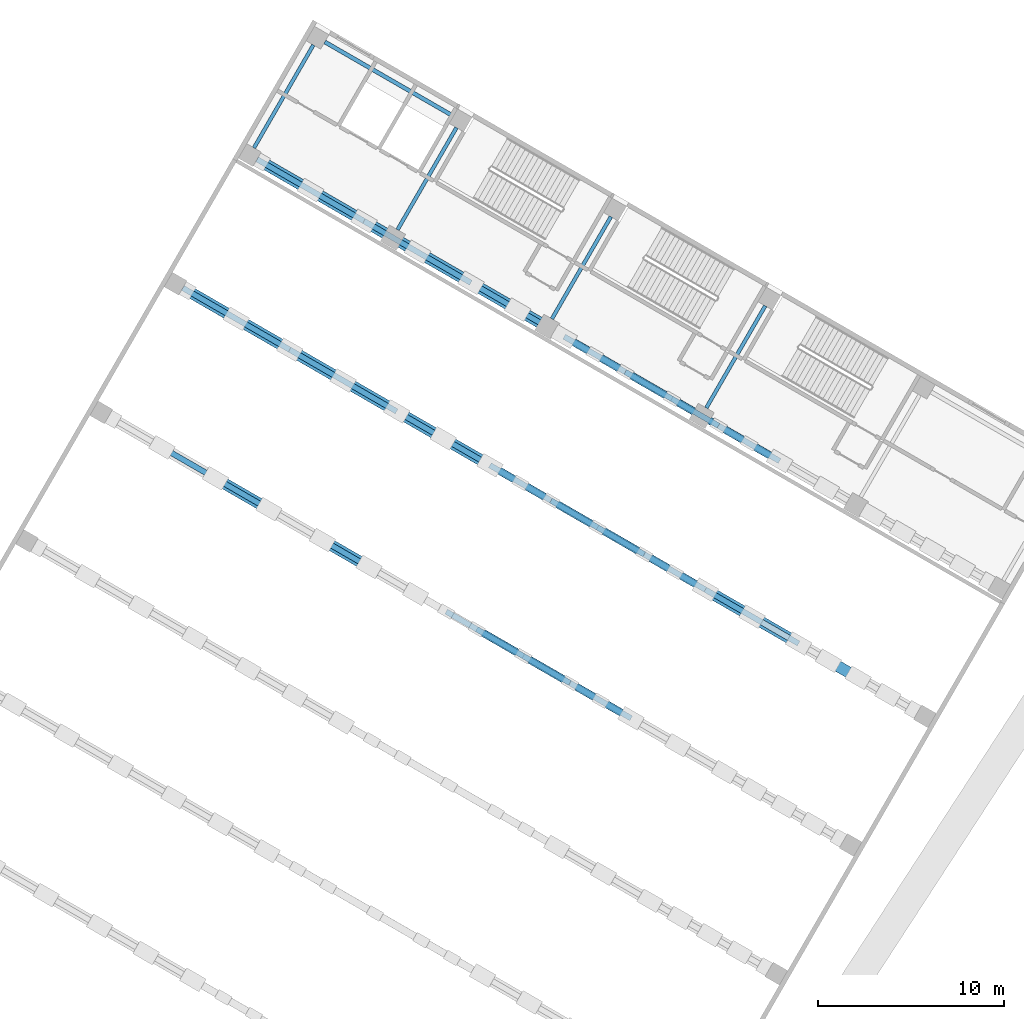
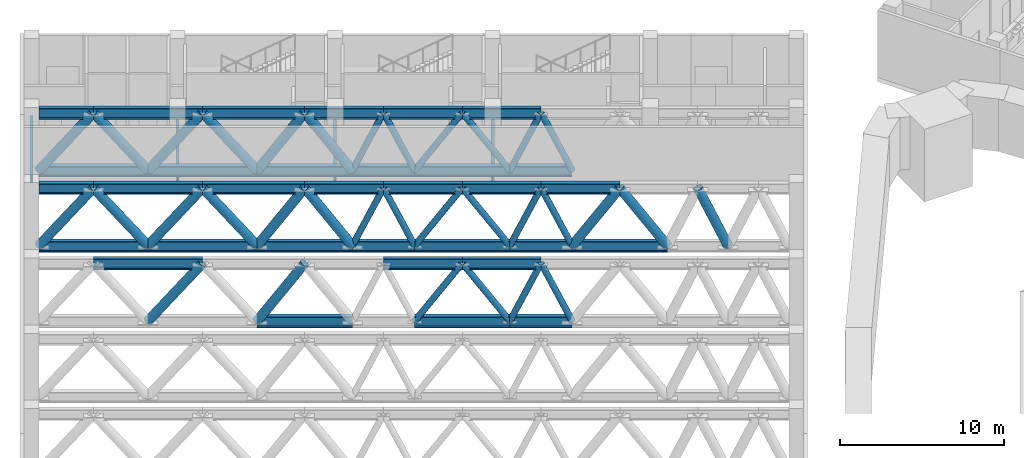
# One storey, part 7 of 37: 65 members, 5 beams.
"""IFC4 building model written with IfcOpenShell, lengths in metres."""

from ifc_helpers import new_model, si_unit, direction, frame, origin, origin_2d, place, context, subcontext, project, spatial, hollow_circle, i_section, extrude, material, material_profile, profile_set, type_object, element, save


model = new_model("IFC4")

# Units and contexts
model_context = context("Model", 3, precision=1e-05, world=origin(), true_north=direction((0.0, 1.0)))
body_context = subcontext(model_context, "Body", "Model", "MODEL_VIEW")
ifc_project = project(units=[si_unit("LENGTHUNIT", "METRE"), si_unit("AREAUNIT", "SQUARE_METRE"), si_unit("VOLUMEUNIT", "CUBIC_METRE"), si_unit("PLANEANGLEUNIT", "RADIAN"), si_unit("MASSUNIT", "GRAM", prefix="KILO")], contexts=[model_context])

# Site, building, storey
site_placement = place(None, origin())
site = spatial("IfcSite", under=ifc_project, at=site_placement, CompositionType="ELEMENT")
building_placement = place(site_placement, origin())
building = spatial("IfcBuilding", under=site, at=building_placement, Name="Mestral Congress Tower", CompositionType="ELEMENT")
storey_placement = place(building_placement, frame((0.0, 0.0, 16.199951171875)))
storey = spatial("IfcBuildingStorey", under=building, at=storey_placement, Name="L03", CompositionType="ELEMENT", Elevation=16.199951171875)

# Beams
ifc_material = material(Name="Steel S355", Category="steel")
ifc_material_profile_1 = material_profile(ifc_material, i_section(OverallWidth=0.199951171875, OverallDepth=0.5, WebThickness=0.01025390625, FlangeThickness=0.01611328125, FilletRadius=0.02099609375, at=origin_2d()), Name="IPE 500")
ifc_profile_set_1 = profile_set([ifc_material_profile_1], Name="Steel S355")
beam_type_1 = type_object("IfcBeamType", Name="Floor beam IPE 500 S355", PredefinedType="BEAM", material=ifc_profile_set_1)
for number, where, z_axis, x_axis, name in (
    (1, (-19.656982421875, 56.208984375, -0.550048828125), (-0.500005339912, -0.866022320763, 0.0), (0.866022320763, -0.500005339912, 0.0), "BM-L03-W-U01C"),
    (2, (-27.970703125, 61.009033203125, -0.550048828125), (-0.500005339912, -0.866022320763, 0.0), (0.866022320763, -0.500005339912, 0.0), "BM-L03-W-U01D"),
    (3, (-36.28466796875, 65.80908203125, -0.550048828125), (-0.500005339912, -0.866022320763, 0.0), (0.866022320763, -0.500005339912, 0.0), "BM-L03-W-U01E"),
):
    element("IfcBeam", number, at=place(storey_placement, frame(where, z_axis=z_axis, x_axis=x_axis)), inside=storey, type_object=beam_type_1, Name=name, PredefinedType="BEAM", context=body_context, shape_type="SweptSolid", body=[
        extrude(i_section(OverallWidth=0.199951171875, OverallDepth=0.5, WebThickness=0.01025390625, FlangeThickness=0.01611328125, FilletRadius=0.02099609375, at=origin_2d()), origin(), (0.0, 0.0, 1.0), 6.35009765625),
    ])
beam_1_placement = place(storey_placement, frame((-43.9921875, 70.259033203125, -0.550048828125), z_axis=(-0.500028443584, -0.866008981251, 0.0), x_axis=(0.866008981251, -0.500028443584, 0.0)))
element("IfcBeam", 4, at=beam_1_placement, inside=storey, type_object=beam_type_1, Name="BM-L03-W-U01F", PredefinedType="BEAM", context=body_context, shape_type="SweptSolid", body=[
    extrude(i_section(OverallWidth=0.199951171875, OverallDepth=0.5, WebThickness=0.01025390625, FlangeThickness=0.01611328125, FilletRadius=0.02099609375, at=origin_2d()), origin(), (0.0, 0.0, 1.0), 6.400146484375),
])
ifc_material_profile_2 = material_profile(ifc_material, i_section(OverallWidth=0.219970703125, OverallDepth=0.60009765625, WebThickness=0.011962890625, FlangeThickness=0.01904296875, FilletRadius=0.02392578125, at=origin_2d()), Name="IPE 600")
ifc_profile_set_2 = profile_set([ifc_material_profile_2], Name="Steel S355")
beam_type_2 = type_object("IfcBeamType", Name="Floor beam IPE 600 S355", PredefinedType="BEAM", material=ifc_profile_set_2)
beam_2_placement = place(storey_placement, frame((-36.449462890625, 66.423828125, -0.599853515625), z_axis=(-0.866026010844, 0.49999894854, 0.0), x_axis=(-0.49999894854, -0.866026010844, 0.0)))
element("IfcBeam", 5, at=beam_2_placement, inside=storey, type_object=beam_type_2, Name="BM-L03-W-V01E", PredefinedType="BEAM", context=body_context, shape_type="SweptSolid", body=[
    extrude(i_section(OverallWidth=0.219970703125, OverallDepth=0.60009765625, WebThickness=0.011962890625, FlangeThickness=0.01904296875, FilletRadius=0.02392578125, at=origin_2d()), origin(), (0.0, 0.0, 1.0), 8.0),
])

# Members
ifc_material_profile_3 = material_profile(ifc_material, i_section(OverallWidth=0.300048828125, OverallDepth=0.800048828125, WebThickness=0.017578125, FlangeThickness=0.032958984375, FilletRadius=0.030029296875, at=origin_2d()), Name="HEB 800")
ifc_profile_set_3 = profile_set([ifc_material_profile_3], Name="Steel S355")
member_type_1 = type_object("IfcMemberType", Name="Truss chord HEB 800 S355", PredefinedType="CHORD", material=ifc_profile_set_3)
member_1_placement = place(storey_placement, frame((-18.8818359375, 47.851806640625, 0.400146484375), z_axis=(-0.866028304915, 0.499994975061, 0.0), x_axis=(-0.499994975061, -0.866028304915, 0.0)))
element("IfcMember", 6, at=member_1_placement, inside=storey, type_object=member_type_1, Name="MB-W-T1-BC04", PredefinedType="CHORD", context=body_context, shape_type="SweptSolid", body=[
    extrude(i_section(OverallWidth=0.300048828125, OverallDepth=0.800048828125, WebThickness=0.017578125, FlangeThickness=0.032958984375, FilletRadius=0.030029296875, at=origin_2d()), origin(), (0.0, 0.0, 1.0), 3.7998046875),
])
member_2_placement = place(storey_placement, frame((-22.172607421875, 49.751708984375, 0.400146484375), z_axis=(-0.86601454848, 0.500018801468, 0.0), x_axis=(-0.500018801468, -0.86601454848, 0.0)))
element("IfcMember", 7, at=member_2_placement, inside=storey, type_object=member_type_1, Name="MB-W-T1-BC05", PredefinedType="CHORD", context=body_context, shape_type="SweptSolid", body=[
    extrude(i_section(OverallWidth=0.300048828125, OverallDepth=0.800048828125, WebThickness=0.017578125, FlangeThickness=0.032958984375, FilletRadius=0.030029296875, at=origin_2d()), origin(), (0.0, 0.0, 1.0), 5.800048828125),
])
member_3_placement = place(storey_placement, frame((-27.195556640625, 52.65185546875, 0.400146484375), z_axis=(-0.866044365799, 0.499967155389, 0.0), x_axis=(-0.499967155389, -0.866044365799, 0.0)))
element("IfcMember", 8, at=member_3_placement, inside=storey, type_object=member_type_1, Name="MB-W-T1-BC06", PredefinedType="CHORD", context=body_context, shape_type="SweptSolid", body=[
    extrude(i_section(OverallWidth=0.300048828125, OverallDepth=0.800048828125, WebThickness=0.017578125, FlangeThickness=0.032958984375, FilletRadius=0.030029296875, at=origin_2d()), origin(), (0.0, 0.0, 1.0), 3.800048828125),
])
member_4_placement = place(storey_placement, frame((-30.486572265625, 54.5517578125, 0.400146484375), z_axis=(-0.86601454848, 0.500018801468, 0.0), x_axis=(-0.500018801468, -0.86601454848, 0.0)))
element("IfcMember", 9, at=member_4_placement, inside=storey, type_object=member_type_1, Name="MB-W-T1-BC07", PredefinedType="CHORD", context=body_context, shape_type="SweptSolid", body=[
    extrude(i_section(OverallWidth=0.300048828125, OverallDepth=0.800048828125, WebThickness=0.017578125, FlangeThickness=0.032958984375, FilletRadius=0.030029296875, at=origin_2d()), origin(), (0.0, 0.0, 1.0), 5.800048828125),
])
for number, where, z_axis, x_axis, name in (
    (10, (-35.509521484375, 57.451904296875, 0.400146484375), (-0.866027239912, 0.49999681972, 0.0), (-0.49999681972, -0.866027239912, 0.0), "MB-W-T1-BC08"),
    (11, (-41.2685546875, 60.77685546875, 0.400146484375), (-0.866027239912, 0.49999681972, 0.0), (-0.49999681972, -0.866027239912, 0.0), "MB-W-T1-BC09"),
):
    element("IfcMember", number, at=place(storey_placement, frame(where, z_axis=z_axis, x_axis=x_axis)), inside=storey, type_object=member_type_1, Name=name, PredefinedType="CHORD", context=body_context, shape_type="SweptSolid", body=[
        extrude(i_section(OverallWidth=0.300048828125, OverallDepth=0.800048828125, WebThickness=0.017578125, FlangeThickness=0.032958984375, FilletRadius=0.030029296875, at=origin_2d()), origin(), (0.0, 0.0, 1.0), 6.64990234375),
    ])
for number, where, z_axis, x_axis, name in (
    (12, (-20.527099609375, 48.8017578125, 4.699951171875), (-0.866015339567, 0.500017431331, 0.0), (-0.500017431331, -0.866015339567, 0.0), "MB-W-T1-TC05"),
    (13, (-24.68408203125, 51.201904296875, 4.699951171875), (-0.866037363387, 0.499979284789, 0.0), (-0.499979284789, -0.866037363387, 0.0), "MB-W-T1-TC06"),
    (14, (-28.841064453125, 53.601806640625, 4.699951171875), (-0.866037363387, 0.499979284789, 0.0), (-0.499979284789, -0.866037363387, 0.0), "MB-W-T1-TC07"),
):
    element("IfcMember", number, at=place(storey_placement, frame(where, z_axis=z_axis, x_axis=x_axis)), inside=storey, type_object=member_type_1, Name=name, PredefinedType="CHORD", context=body_context, shape_type="SweptSolid", body=[
        extrude(i_section(OverallWidth=0.300048828125, OverallDepth=0.800048828125, WebThickness=0.017578125, FlangeThickness=0.032958984375, FilletRadius=0.030029296875, at=origin_2d()), origin(), (0.0, 0.0, 1.0), 4.800048828125),
    ])
member_5_placement = place(storey_placement, frame((-32.998046875, 56.001708984375, 4.699951171875), z_axis=(-0.866016424762, 0.5000155518, 0.0), x_axis=(-0.5000155518, -0.866016424762, 0.0)))
element("IfcMember", 15, at=member_5_placement, inside=storey, type_object=member_type_1, Name="MB-W-T1-TC08", PredefinedType="CHORD", context=body_context, shape_type="SweptSolid", body=[
    extrude(i_section(OverallWidth=0.300048828125, OverallDepth=0.800048828125, WebThickness=0.017578125, FlangeThickness=0.032958984375, FilletRadius=0.030029296875, at=origin_2d()), origin(), (0.0, 0.0, 1.0), 6.224853515625),
])
member_6_placement = place(storey_placement, frame((-38.388916015625, 59.1142578125, 4.699951171875), z_axis=(-0.866036417653, 0.499980922934, 0.0), x_axis=(-0.499980922934, -0.866036417653, 0.0)))
element("IfcMember", 16, at=member_6_placement, inside=storey, type_object=member_type_1, Name="MB-W-T1-TC09", PredefinedType="CHORD", context=body_context, shape_type="SweptSolid", body=[
    extrude(i_section(OverallWidth=0.300048828125, OverallDepth=0.800048828125, WebThickness=0.017578125, FlangeThickness=0.032958984375, FilletRadius=0.030029296875, at=origin_2d()), origin(), (0.0, 0.0, 1.0), 6.650146484375),
])
member_7_placement = place(storey_placement, frame((-44.148193359375, 62.439208984375, 4.699951171875), z_axis=(-0.866002163101, 0.500040251884, 0.0), x_axis=(-0.500040251884, -0.866002163101, 0.0)))
element("IfcMember", 17, at=member_7_placement, inside=storey, type_object=member_type_1, Name="MB-W-T1-TC10", PredefinedType="CHORD", context=body_context, shape_type="SweptSolid", body=[
    extrude(i_section(OverallWidth=0.300048828125, OverallDepth=0.800048828125, WebThickness=0.017578125, FlangeThickness=0.032958984375, FilletRadius=0.030029296875, at=origin_2d()), origin(), (0.0, 0.0, 1.0), 3.324951171875),
])
member_8_placement = place(storey_placement, frame((-17.85888671875, 38.023681640625, 0.400146484375), z_axis=(-0.866032775405, 0.499987231761, 0.0), x_axis=(-0.499987231761, -0.866032775405, 0.0)))
element("IfcMember", 18, at=member_8_placement, inside=storey, type_object=member_type_1, Name="MB-W-T2-BC03", PredefinedType="CHORD", context=body_context, shape_type="SweptSolid", body=[
    extrude(i_section(OverallWidth=0.300048828125, OverallDepth=0.800048828125, WebThickness=0.017578125, FlangeThickness=0.032958984375, FilletRadius=0.030029296875, at=origin_2d()), origin(), (0.0, 0.0, 1.0), 5.800048828125),
])
member_9_placement = place(storey_placement, frame((-22.8818359375, 40.923583984375, 0.400146484375), z_axis=(-0.866028304915, 0.499994975061, 0.0), x_axis=(-0.499994975061, -0.866028304915, 0.0)))
element("IfcMember", 19, at=member_9_placement, inside=storey, type_object=member_type_1, Name="MB-W-T2-BC04", PredefinedType="CHORD", context=body_context, shape_type="SweptSolid", body=[
    extrude(i_section(OverallWidth=0.300048828125, OverallDepth=0.800048828125, WebThickness=0.017578125, FlangeThickness=0.032958984375, FilletRadius=0.030029296875, at=origin_2d()), origin(), (0.0, 0.0, 1.0), 3.7998046875),
])
member_10_placement = place(storey_placement, frame((-26.172607421875, 42.823486328125, 0.400146484375), z_axis=(-0.86601454848, 0.500018801468, 0.0), x_axis=(-0.500018801468, -0.86601454848, 0.0)))
element("IfcMember", 20, at=member_10_placement, inside=storey, type_object=member_type_1, Name="MB-W-T2-BC05", PredefinedType="CHORD", context=body_context, shape_type="SweptSolid", body=[
    extrude(i_section(OverallWidth=0.300048828125, OverallDepth=0.800048828125, WebThickness=0.017578125, FlangeThickness=0.032958984375, FilletRadius=0.030029296875, at=origin_2d()), origin(), (0.0, 0.0, 1.0), 5.800048828125),
])
member_11_placement = place(storey_placement, frame((-31.195556640625, 45.7236328125, 0.400146484375), z_axis=(-0.866044365799, 0.499967155389, 0.0), x_axis=(-0.499967155389, -0.866044365799, 0.0)))
element("IfcMember", 21, at=member_11_placement, inside=storey, type_object=member_type_1, Name="MB-W-T2-BC06", PredefinedType="CHORD", context=body_context, shape_type="SweptSolid", body=[
    extrude(i_section(OverallWidth=0.300048828125, OverallDepth=0.800048828125, WebThickness=0.017578125, FlangeThickness=0.032958984375, FilletRadius=0.030029296875, at=origin_2d()), origin(), (0.0, 0.0, 1.0), 3.800048828125),
])
member_12_placement = place(storey_placement, frame((-34.486572265625, 47.62353515625, 0.400146484375), z_axis=(-0.86601454848, 0.500018801468, 0.0), x_axis=(-0.500018801468, -0.86601454848, 0.0)))
element("IfcMember", 22, at=member_12_placement, inside=storey, type_object=member_type_1, Name="MB-W-T2-BC07", PredefinedType="CHORD", context=body_context, shape_type="SweptSolid", body=[
    extrude(i_section(OverallWidth=0.300048828125, OverallDepth=0.800048828125, WebThickness=0.017578125, FlangeThickness=0.032958984375, FilletRadius=0.030029296875, at=origin_2d()), origin(), (0.0, 0.0, 1.0), 5.800048828125),
])
for number, where, z_axis, x_axis, name in (
    (23, (-39.509521484375, 50.523681640625, 0.400146484375), (-0.866027239912, 0.49999681972, 0.0), (-0.49999681972, -0.866027239912, 0.0), "MB-W-T2-BC08"),
    (24, (-45.2685546875, 53.8486328125, 0.400146484375), (-0.866027239912, 0.49999681972, 0.0), (-0.49999681972, -0.866027239912, 0.0), "MB-W-T2-BC09"),
):
    element("IfcMember", number, at=place(storey_placement, frame(where, z_axis=z_axis, x_axis=x_axis)), inside=storey, type_object=member_type_1, Name=name, PredefinedType="CHORD", context=body_context, shape_type="SweptSolid", body=[
        extrude(i_section(OverallWidth=0.300048828125, OverallDepth=0.800048828125, WebThickness=0.017578125, FlangeThickness=0.032958984375, FilletRadius=0.030029296875, at=origin_2d()), origin(), (0.0, 0.0, 1.0), 6.64990234375),
    ])
member_13_placement = place(storey_placement, frame((-20.370361328125, 39.4736328125, 4.699951171875), z_axis=(-0.866024647952, 0.500001309137, 0.0), x_axis=(-0.500001309137, -0.866024647952, 0.0)))
element("IfcMember", 25, at=member_13_placement, inside=storey, type_object=member_type_1, Name="MB-W-T2-TC04", PredefinedType="CHORD", context=body_context, shape_type="SweptSolid", body=[
    extrude(i_section(OverallWidth=0.300048828125, OverallDepth=0.800048828125, WebThickness=0.017578125, FlangeThickness=0.032958984375, FilletRadius=0.030029296875, at=origin_2d()), origin(), (0.0, 0.0, 1.0), 4.7998046875),
])
for number, where, z_axis, x_axis, name in (
    (26, (-24.527099609375, 41.87353515625, 4.699951171875), (-0.866015339567, 0.500017431331, 0.0), (-0.500017431331, -0.866015339567, 0.0), "MB-W-T2-TC05"),
    (27, (-28.68408203125, 44.273681640625, 4.699951171875), (-0.866037363387, 0.499979284789, 0.0), (-0.499979284789, -0.866037363387, 0.0), "MB-W-T2-TC06"),
    (28, (-32.841064453125, 46.673583984375, 4.699951171875), (-0.866037363387, 0.499979284789, 0.0), (-0.499979284789, -0.866037363387, 0.0), "MB-W-T2-TC07"),
):
    element("IfcMember", number, at=place(storey_placement, frame(where, z_axis=z_axis, x_axis=x_axis)), inside=storey, type_object=member_type_1, Name=name, PredefinedType="CHORD", context=body_context, shape_type="SweptSolid", body=[
        extrude(i_section(OverallWidth=0.300048828125, OverallDepth=0.800048828125, WebThickness=0.017578125, FlangeThickness=0.032958984375, FilletRadius=0.030029296875, at=origin_2d()), origin(), (0.0, 0.0, 1.0), 4.800048828125),
    ])
member_14_placement = place(storey_placement, frame((-36.998046875, 49.073486328125, 4.699951171875), z_axis=(-0.866016424762, 0.5000155518, 0.0), x_axis=(-0.5000155518, -0.866016424762, 0.0)))
element("IfcMember", 29, at=member_14_placement, inside=storey, type_object=member_type_1, Name="MB-W-T2-TC08", PredefinedType="CHORD", context=body_context, shape_type="SweptSolid", body=[
    extrude(i_section(OverallWidth=0.300048828125, OverallDepth=0.800048828125, WebThickness=0.017578125, FlangeThickness=0.032958984375, FilletRadius=0.030029296875, at=origin_2d()), origin(), (0.0, 0.0, 1.0), 6.224853515625),
])
member_15_placement = place(storey_placement, frame((-42.388916015625, 52.18603515625, 4.699951171875), z_axis=(-0.866036417653, 0.499980922934, 0.0), x_axis=(-0.499980922934, -0.866036417653, 0.0)))
element("IfcMember", 30, at=member_15_placement, inside=storey, type_object=member_type_1, Name="MB-W-T2-TC09", PredefinedType="CHORD", context=body_context, shape_type="SweptSolid", body=[
    extrude(i_section(OverallWidth=0.300048828125, OverallDepth=0.800048828125, WebThickness=0.017578125, FlangeThickness=0.032958984375, FilletRadius=0.030029296875, at=origin_2d()), origin(), (0.0, 0.0, 1.0), 6.650146484375),
])
member_16_placement = place(storey_placement, frame((-48.148193359375, 55.510986328125, 4.699951171875), z_axis=(-0.866002163101, 0.500040251884, 0.0), x_axis=(-0.500040251884, -0.866002163101, 0.0)))
element("IfcMember", 31, at=member_16_placement, inside=storey, type_object=member_type_1, Name="MB-W-T2-TC10", PredefinedType="CHORD", context=body_context, shape_type="SweptSolid", body=[
    extrude(i_section(OverallWidth=0.300048828125, OverallDepth=0.800048828125, WebThickness=0.017578125, FlangeThickness=0.032958984375, FilletRadius=0.030029296875, at=origin_2d()), origin(), (0.0, 0.0, 1.0), 3.324951171875),
])
member_17_placement = place(storey_placement, frame((-26.8818359375, 33.995361328125, 0.400146484375), z_axis=(-0.866000483506, 0.500043160704, 0.0), x_axis=(-0.500043160704, -0.866000483506, 0.0)))
element("IfcMember", 32, at=member_17_placement, inside=storey, type_object=member_type_1, Name="MB-W-T3-BC04", PredefinedType="CHORD", context=body_context, shape_type="SweptSolid", body=[
    extrude(i_section(OverallWidth=0.300048828125, OverallDepth=0.800048828125, WebThickness=0.017578125, FlangeThickness=0.032958984375, FilletRadius=0.030029296875, at=origin_2d()), origin(), (0.0, 0.0, 1.0), 3.800048828125),
])
for number, where, z_axis, x_axis, name in (
    (33, (-30.172607421875, 35.8955078125, 0.400146484375), (-0.866032775405, 0.499987231761, 0.0), (-0.499987231761, -0.866032775405, 0.0), "MB-W-T3-BC05"),
    (34, (-38.486572265625, 40.6953125, 0.400146484375), (-0.86601454848, 0.500018801468, 0.0), (-0.500018801468, -0.86601454848, 0.0), "MB-W-T3-BC07"),
):
    element("IfcMember", number, at=place(storey_placement, frame(where, z_axis=z_axis, x_axis=x_axis)), inside=storey, type_object=member_type_1, Name=name, PredefinedType="CHORD", context=body_context, shape_type="SweptSolid", body=[
        extrude(i_section(OverallWidth=0.300048828125, OverallDepth=0.800048828125, WebThickness=0.017578125, FlangeThickness=0.032958984375, FilletRadius=0.030029296875, at=origin_2d()), origin(), (0.0, 0.0, 1.0), 5.800048828125),
    ])
for number, where, z_axis, x_axis, name in (
    (35, (-28.527099609375, 34.9453125, 4.699951171875), (-0.866015339567, 0.500017431331, 0.0), (-0.500017431331, -0.866015339567, 0.0), "MB-W-T3-TC05"),
    (36, (-32.68408203125, 37.345458984375, 4.699951171875), (-0.866037363387, 0.499979284789, 0.0), (-0.499979284789, -0.866037363387, 0.0), "MB-W-T3-TC06"),
):
    element("IfcMember", number, at=place(storey_placement, frame(where, z_axis=z_axis, x_axis=x_axis)), inside=storey, type_object=member_type_1, Name=name, PredefinedType="CHORD", context=body_context, shape_type="SweptSolid", body=[
        extrude(i_section(OverallWidth=0.300048828125, OverallDepth=0.800048828125, WebThickness=0.017578125, FlangeThickness=0.032958984375, FilletRadius=0.030029296875, at=origin_2d()), origin(), (0.0, 0.0, 1.0), 4.800048828125),
    ])
member_18_placement = place(storey_placement, frame((-46.388916015625, 45.2578125, 4.699951171875), z_axis=(-0.866020521143, 0.500008456887, 0.0), x_axis=(-0.500008456887, -0.866020521143, 0.0)))
element("IfcMember", 37, at=member_18_placement, inside=storey, type_object=member_type_1, Name="MB-W-T3-TC09", PredefinedType="CHORD", context=body_context, shape_type="SweptSolid", body=[
    extrude(i_section(OverallWidth=0.300048828125, OverallDepth=0.800048828125, WebThickness=0.017578125, FlangeThickness=0.032958984375, FilletRadius=0.030029296875, at=origin_2d()), origin(), (0.0, 0.0, 1.0), 6.650390625),
])
ifc_material_profile_4 = material_profile(ifc_material, hollow_circle(Radius=0.203125, WallThickness=0.01611328125, at=origin_2d()), Name="CHS 406.4x16")
ifc_profile_set_4 = profile_set([ifc_material_profile_4], Name="Steel S355")
member_type_2 = type_object("IfcMemberType", Name="Truss diagonal CHS 406.4x16 S355", PredefinedType="BRACE", material=ifc_profile_set_4)
for number, where, z_axis, x_axis, name in (
    (38, (-18.8818359375, 47.851806640625, 0.400146484375), (-0.349995738631, 0.20208241861, 0.914694309061), (-0.500022797313, -0.86601224135, 0.0), "MB-W-T1-D07"),
    (39, (-20.527099609375, 48.8017578125, 4.699951171875), (-0.350041311257, 0.202078745119, -0.914677681582), (-0.499967155389, -0.866044365799, 0.0), "MB-W-T1-D08"),
):
    element("IfcMember", number, at=place(storey_placement, frame(where, z_axis=z_axis, x_axis=x_axis)), inside=storey, type_object=member_type_2, Name=name, PredefinedType="BRACE", context=body_context, shape_type="SweptSolid", body=[
        extrude(hollow_circle(Radius=0.203125, WallThickness=0.01611328125, at=origin_2d()), origin(), (0.0, 0.0, 1.0), 4.700927734375),
    ])
member_19_placement = place(storey_placement, frame((-22.172607421875, 49.751708984375, 0.400146484375), z_axis=(-0.484241047345, 0.27961425306, 0.829051553012), x_axis=(-0.50005036918, -0.865996321171, 0.0)))
element("IfcMember", 40, at=member_19_placement, inside=storey, type_object=member_type_2, Name="MB-W-T1-D09", PredefinedType="BRACE", context=body_context, shape_type="SweptSolid", body=[
    extrude(hollow_circle(Radius=0.203125, WallThickness=0.01611328125, at=origin_2d()), origin(), (0.0, 0.0, 1.0), 5.1865234375),
])
member_20_placement = place(storey_placement, frame((-24.68408203125, 51.201904296875, 4.699951171875), z_axis=(-0.484247420666, 0.279570859467, -0.829062464544), x_axis=(-0.499987231761, -0.866032775405, 0.0)))
element("IfcMember", 41, at=member_20_placement, inside=storey, type_object=member_type_2, Name="MB-W-T1-D10", PredefinedType="BRACE", context=body_context, shape_type="SweptSolid", body=[
    extrude(hollow_circle(Radius=0.203125, WallThickness=0.01611328125, at=origin_2d()), origin(), (0.0, 0.0, 1.0), 5.186279296875),
])
for number, where, z_axis, x_axis, name in (
    (42, (-27.195556640625, 52.65185546875, 0.400146484375), (-0.350041311257, 0.202078745119, 0.914677681582), (-0.499967155389, -0.866044365799, 0.0), "MB-W-T1-D11"),
    (43, (-28.841064453125, 53.601806640625, 4.699951171875), (-0.350041311257, 0.202078745119, -0.914677681582), (-0.499967155389, -0.866044365799, 0.0), "MB-W-T1-D12"),
    (44, (-22.8818359375, 40.923583984375, 0.400146484375), (-0.349995738631, 0.20208241861, 0.914694309061), (-0.500022797313, -0.86601224135, 0.0), "MB-W-T2-D07"),
    (45, (-24.527099609375, 41.87353515625, 4.699951171875), (-0.350041311257, 0.202078745119, -0.914677681582), (-0.499967155389, -0.866044365799, 0.0), "MB-W-T2-D08"),
):
    element("IfcMember", number, at=place(storey_placement, frame(where, z_axis=z_axis, x_axis=x_axis)), inside=storey, type_object=member_type_2, Name=name, PredefinedType="BRACE", context=body_context, shape_type="SweptSolid", body=[
        extrude(hollow_circle(Radius=0.203125, WallThickness=0.01611328125, at=origin_2d()), origin(), (0.0, 0.0, 1.0), 4.700927734375),
    ])
member_21_placement = place(storey_placement, frame((-26.172607421875, 42.823486328125, 0.400146484375), z_axis=(-0.484241047345, 0.27961425306, 0.829051553012), x_axis=(-0.50005036918, -0.865996321171, 0.0)))
element("IfcMember", 46, at=member_21_placement, inside=storey, type_object=member_type_2, Name="MB-W-T2-D09", PredefinedType="BRACE", context=body_context, shape_type="SweptSolid", body=[
    extrude(hollow_circle(Radius=0.203125, WallThickness=0.01611328125, at=origin_2d()), origin(), (0.0, 0.0, 1.0), 5.1865234375),
])
member_22_placement = place(storey_placement, frame((-28.68408203125, 44.273681640625, 4.699951171875), z_axis=(-0.484247420666, 0.279570859467, -0.829062464544), x_axis=(-0.499987231761, -0.866032775405, 0.0)))
element("IfcMember", 47, at=member_22_placement, inside=storey, type_object=member_type_2, Name="MB-W-T2-D10", PredefinedType="BRACE", context=body_context, shape_type="SweptSolid", body=[
    extrude(hollow_circle(Radius=0.203125, WallThickness=0.01611328125, at=origin_2d()), origin(), (0.0, 0.0, 1.0), 5.186279296875),
])
for number, where, z_axis, x_axis, name in (
    (48, (-31.195556640625, 45.7236328125, 0.400146484375), (-0.350041311257, 0.202078745119, 0.914677681582), (-0.499967155389, -0.866044365799, 0.0), "MB-W-T2-D11"),
    (49, (-32.841064453125, 46.673583984375, 4.699951171875), (-0.350041311257, 0.202078745119, -0.914677681582), (-0.499967155389, -0.866044365799, 0.0), "MB-W-T2-D12"),
    (50, (-26.8818359375, 33.995361328125, 0.400146484375), (-0.349995738631, 0.20208241861, 0.914694309061), (-0.500022797313, -0.86601224135, 0.0), "MB-W-T3-D07"),
    (51, (-28.527099609375, 34.9453125, 4.699951171875), (-0.35003763718, 0.202128558443, -0.914668081011), (-0.500063520245, -0.865988727248, 0.0), "MB-W-T3-D08"),
):
    element("IfcMember", number, at=place(storey_placement, frame(where, z_axis=z_axis, x_axis=x_axis)), inside=storey, type_object=member_type_2, Name=name, PredefinedType="BRACE", context=body_context, shape_type="SweptSolid", body=[
        extrude(hollow_circle(Radius=0.203125, WallThickness=0.01611328125, at=origin_2d()), origin(), (0.0, 0.0, 1.0), 4.700927734375),
    ])
for number, where, z_axis, x_axis, name in (
    (52, (-30.172607421875, 35.8955078125, 0.400146484375), (-0.484247420666, 0.279570859467, 0.829062464544), (-0.499987231761, -0.866032775405, 0.0), "MB-W-T3-D09"),
    (53, (-32.68408203125, 37.345458984375, 4.699951171875), (-0.484247420666, 0.279570859467, -0.829062464544), (-0.499987231761, -0.866032775405, 0.0), "MB-W-T3-D10"),
):
    element("IfcMember", number, at=place(storey_placement, frame(where, z_axis=z_axis, x_axis=x_axis)), inside=storey, type_object=member_type_2, Name=name, PredefinedType="BRACE", context=body_context, shape_type="SweptSolid", body=[
        extrude(hollow_circle(Radius=0.203125, WallThickness=0.01611328125, at=origin_2d()), origin(), (0.0, 0.0, 1.0), 5.186279296875),
    ])
ifc_material_profile_5 = material_profile(ifc_material, hollow_circle(Radius=0.304931640625, WallThickness=0.02490234375, at=origin_2d()), Name="CHS 610x25")
ifc_profile_set_5 = profile_set([ifc_material_profile_5], Name="Steel S355")
member_type_3 = type_object("IfcMemberType", Name="Truss diagonal CHS 610x25 S355", PredefinedType="BRACE", material=ifc_profile_set_5)
member_23_placement = place(storey_placement, frame((-30.486572265625, 54.5517578125, 0.400146484375), z_axis=(-0.484247420666, 0.279570859467, 0.829062464544), x_axis=(-0.499987231761, -0.866032775405, 0.0)))
element("IfcMember", 54, at=member_23_placement, inside=storey, type_object=member_type_3, Name="MB-W-T1-D13", PredefinedType="BRACE", context=body_context, shape_type="SweptSolid", body=[
    extrude(hollow_circle(Radius=0.304931640625, WallThickness=0.02490234375, at=origin_2d()), origin(), (0.0, 0.0, 1.0), 5.186279296875),
])
member_24_placement = place(storey_placement, frame((-32.998046875, 56.001708984375, 4.699951171875), z_axis=(-0.484241047345, 0.27961425306, -0.829051553012), x_axis=(-0.50005036918, -0.865996321171, 0.0)))
element("IfcMember", 55, at=member_24_placement, inside=storey, type_object=member_type_3, Name="MB-W-T1-D14", PredefinedType="BRACE", context=body_context, shape_type="SweptSolid", body=[
    extrude(hollow_circle(Radius=0.304931640625, WallThickness=0.02490234375, at=origin_2d()), origin(), (0.0, 0.0, 1.0), 5.1865234375),
])
member_25_placement = place(storey_placement, frame((-35.509521484375, 57.451904296875, 0.400146484375), z_axis=(-0.529756669385, 0.305843069514, 0.791086523759), x_axis=(-0.499985181294, -0.866033959199, 0.0)))
element("IfcMember", 56, at=member_25_placement, inside=storey, type_object=member_type_3, Name="MB-W-T1-D15", PredefinedType="BRACE", context=body_context, shape_type="SweptSolid", body=[
    extrude(hollow_circle(Radius=0.304931640625, WallThickness=0.02490234375, at=origin_2d()), origin(), (0.0, 0.0, 1.0), 5.435302734375),
])
for number, where, z_axis, x_axis, name in (
    (57, (-38.388916015625, 59.1142578125, 4.699951171875), (-0.52978170185, 0.305876506113, -0.791056831961), (-0.500008456887, -0.866020521143, 0.0), "MB-W-T1-D16"),
    (58, (-41.2685546875, 60.77685546875, 0.400146484375), (-0.529788979969, 0.305835791828, 0.791067699467), (-0.499953387465, -0.866052313871, 0.0), "MB-W-T1-D17"),
):
    element("IfcMember", number, at=place(storey_placement, frame(where, z_axis=z_axis, x_axis=x_axis)), inside=storey, type_object=member_type_3, Name=name, PredefinedType="BRACE", context=body_context, shape_type="SweptSolid", body=[
        extrude(hollow_circle(Radius=0.304931640625, WallThickness=0.02490234375, at=origin_2d()), origin(), (0.0, 0.0, 1.0), 5.435546875),
    ])
member_26_placement = place(storey_placement, frame((-44.148193359375, 62.439208984375, 4.699951171875), z_axis=(-0.529749391364, 0.305883784567, -0.791075655477), x_axis=(-0.500040251884, -0.866002163101, 0.0)))
element("IfcMember", 59, at=member_26_placement, inside=storey, type_object=member_type_3, Name="MB-W-T1-D18", PredefinedType="BRACE", context=body_context, shape_type="SweptSolid", body=[
    extrude(hollow_circle(Radius=0.304931640625, WallThickness=0.02490234375, at=origin_2d()), origin(), (0.0, 0.0, 1.0), 5.435302734375),
])
member_27_placement = place(storey_placement, frame((-14.654541015625, 36.173583984375, 0.400146484375), z_axis=(-0.342254462306, 0.197623004828, 0.91858969676), x_axis=(-0.500042316284, -0.866000971088, 0.0)))
element("IfcMember", 60, at=member_27_placement, inside=storey, type_object=member_type_3, Name="MB-W-T2-D03", PredefinedType="BRACE", context=body_context, shape_type="SweptSolid", body=[
    extrude(hollow_circle(Radius=0.304931640625, WallThickness=0.02490234375, at=origin_2d()), origin(), (0.0, 0.0, 1.0), 4.680908203125),
])
for number, where, z_axis, x_axis, name in (
    (61, (-17.85888671875, 38.023681640625, 0.400146484375), (-0.484247420666, 0.279570859467, 0.829062464544), (-0.499987231761, -0.866032775405, 0.0), "MB-W-T2-D05"),
    (62, (-20.370361328125, 39.4736328125, 4.699951171875), (-0.484247420666, 0.279570859467, -0.829062464544), (-0.499987231761, -0.866032775405, 0.0), "MB-W-T2-D06"),
    (63, (-34.486572265625, 47.62353515625, 0.400146484375), (-0.484247420666, 0.279570859467, 0.829062464544), (-0.499987231761, -0.866032775405, 0.0), "MB-W-T2-D13"),
):
    element("IfcMember", number, at=place(storey_placement, frame(where, z_axis=z_axis, x_axis=x_axis)), inside=storey, type_object=member_type_3, Name=name, PredefinedType="BRACE", context=body_context, shape_type="SweptSolid", body=[
        extrude(hollow_circle(Radius=0.304931640625, WallThickness=0.02490234375, at=origin_2d()), origin(), (0.0, 0.0, 1.0), 5.186279296875),
    ])
member_28_placement = place(storey_placement, frame((-36.998046875, 49.073486328125, 4.699951171875), z_axis=(-0.484241047345, 0.27961425306, -0.829051553012), x_axis=(-0.50005036918, -0.865996321171, 0.0)))
element("IfcMember", 64, at=member_28_placement, inside=storey, type_object=member_type_3, Name="MB-W-T2-D14", PredefinedType="BRACE", context=body_context, shape_type="SweptSolid", body=[
    extrude(hollow_circle(Radius=0.304931640625, WallThickness=0.02490234375, at=origin_2d()), origin(), (0.0, 0.0, 1.0), 5.1865234375),
])
member_29_placement = place(storey_placement, frame((-39.509521484375, 50.523681640625, 0.400146484375), z_axis=(-0.529756669385, 0.305843069514, 0.791086523759), x_axis=(-0.499985181294, -0.866033959199, 0.0)))
element("IfcMember", 65, at=member_29_placement, inside=storey, type_object=member_type_3, Name="MB-W-T2-D15", PredefinedType="BRACE", context=body_context, shape_type="SweptSolid", body=[
    extrude(hollow_circle(Radius=0.304931640625, WallThickness=0.02490234375, at=origin_2d()), origin(), (0.0, 0.0, 1.0), 5.435302734375),
])
for number, where, z_axis, x_axis, name in (
    (66, (-42.388916015625, 52.18603515625, 4.699951171875), (-0.52978170185, 0.305876506113, -0.791056831961), (-0.500008456887, -0.866020521143, 0.0), "MB-W-T2-D16"),
    (67, (-45.2685546875, 53.8486328125, 0.400146484375), (-0.529788979969, 0.305835791828, 0.791067699467), (-0.499953387465, -0.866052313871, 0.0), "MB-W-T2-D17"),
):
    element("IfcMember", number, at=place(storey_placement, frame(where, z_axis=z_axis, x_axis=x_axis)), inside=storey, type_object=member_type_3, Name=name, PredefinedType="BRACE", context=body_context, shape_type="SweptSolid", body=[
        extrude(hollow_circle(Radius=0.304931640625, WallThickness=0.02490234375, at=origin_2d()), origin(), (0.0, 0.0, 1.0), 5.435546875),
    ])
member_30_placement = place(storey_placement, frame((-48.148193359375, 55.510986328125, 4.699951171875), z_axis=(-0.529749391364, 0.305883784567, -0.791075655477), x_axis=(-0.500040251884, -0.866002163101, 0.0)))
element("IfcMember", 68, at=member_30_placement, inside=storey, type_object=member_type_3, Name="MB-W-T2-D18", PredefinedType="BRACE", context=body_context, shape_type="SweptSolid", body=[
    extrude(hollow_circle(Radius=0.304931640625, WallThickness=0.02490234375, at=origin_2d()), origin(), (0.0, 0.0, 1.0), 5.435302734375),
])
member_31_placement = place(storey_placement, frame((-40.998046875, 42.1455078125, 4.699951171875), z_axis=(-0.484247420666, 0.279570859467, -0.829062464544), x_axis=(-0.499987231761, -0.866032775405, 0.0)))
element("IfcMember", 69, at=member_31_placement, inside=storey, type_object=member_type_3, Name="MB-W-T3-D14", PredefinedType="BRACE", context=body_context, shape_type="SweptSolid", body=[
    extrude(hollow_circle(Radius=0.304931640625, WallThickness=0.02490234375, at=origin_2d()), origin(), (0.0, 0.0, 1.0), 5.186279296875),
])
member_32_placement = place(storey_placement, frame((-46.388916015625, 45.2578125, 4.699951171875), z_axis=(-0.52978170185, 0.305876506113, -0.791056831961), x_axis=(-0.500008456887, -0.866020521143, 0.0)))
element("IfcMember", 70, at=member_32_placement, inside=storey, type_object=member_type_3, Name="MB-W-T3-D16", PredefinedType="BRACE", context=body_context, shape_type="SweptSolid", body=[
    extrude(hollow_circle(Radius=0.304931640625, WallThickness=0.02490234375, at=origin_2d()), origin(), (0.0, 0.0, 1.0), 5.435546875),
])

save(model, "model.ifc")
